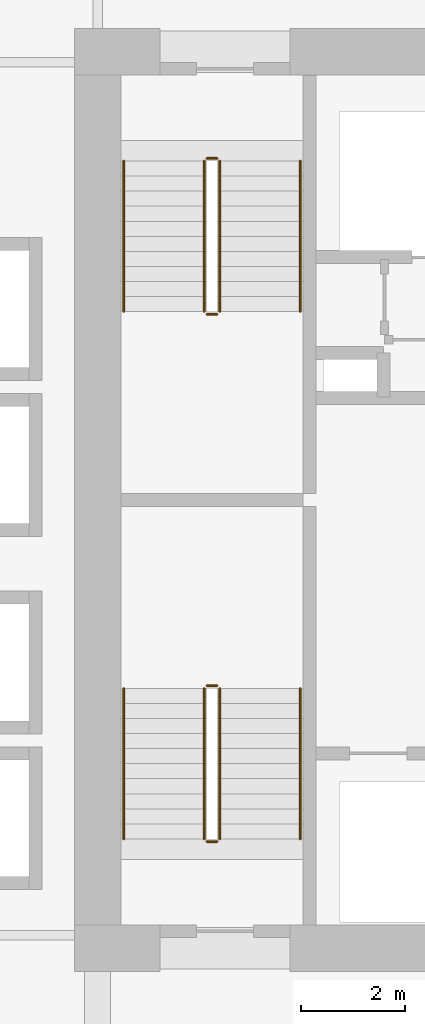
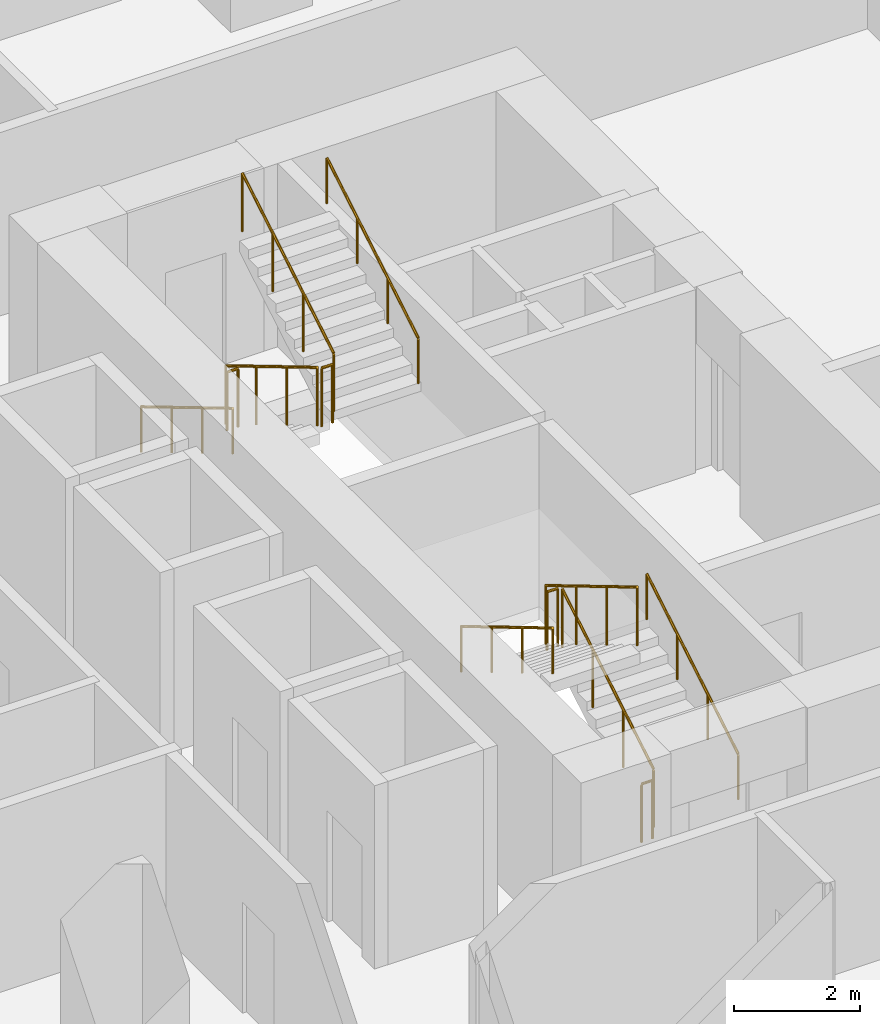
# One storey, part 25 of 26: 12 railings.
"""IFC4 building model written with IfcOpenShell, lengths in metres."""

import ifcopenshell
import ifcopenshell.guid

model = None  # the IFC model being written
_history = None  # IfcOwnerHistory: only IFC2X3 demands one
_inside = {}  # id of a spatial element -> (the spatial element, [elements in it])
_under = {}  # id of a project, library or spatial element -> (it, [spatial elements below it])
_declared = {}  # id of a project -> (the project, [libraries it declares])
_typed = {}  # id of a type object -> (the type object, [elements of that type])
_made_of = {}  # id of a material, layer set ... -> (it, [elements and type objects made of it])


def new_model(schema):
    """Start an empty IFC model of exactly this schema.

    Asked for "IFC4X3", IfcOpenShell would pick the latest addendum, in which some entities
    have other attributes; the version numbers below select the first issue.
    IFC2X3 requires an IfcOwnerHistory on every rooted entity: one is made here for all.
    """
    global model, _history
    if schema == "IFC4X3":
        model = ifcopenshell.file(schema_version=(4, 3, 0, 0))
    else:
        model = ifcopenshell.file(schema=schema)
    _inside.clear()
    _under.clear()
    _declared.clear()
    _typed.clear()
    _made_of.clear()
    _history = None
    if model.schema == "IFC2X3":
        org = make("IfcOrganization", Name="unknown")
        user = make(
            "IfcPersonAndOrganization",
            ThePerson=make("IfcPerson", FamilyName="unknown"),
            TheOrganization=org,
        )
        app = make(
            "IfcApplication",
            ApplicationDeveloper=org,
            Version="unknown",
            ApplicationFullName="unknown",
            ApplicationIdentifier="unknown",
        )
        _history = make(
            "IfcOwnerHistory",
            OwningUser=user,
            OwningApplication=app,
            ChangeAction="ADDED",
            CreationDate=0,
        )
    return model


def make(cls, **values):
    """One entity of the class cls with the attributes given. An attribute that is None is left unset."""
    return model.create_entity(
        cls, **{name: value for name, value in values.items() if value is not None}
    )


def rooted(cls, **values):
    """An entity with a GlobalId (a new one), such as an element, a storey or a relation."""
    return make(cls, GlobalId=ifcopenshell.guid.new(), OwnerHistory=_history, **values)


def si_unit(unit_type, name, prefix=None):
    """IfcSIUnit, for example si_unit("LENGTHUNIT", "METRE", prefix="MILLI")."""
    return make("IfcSIUnit", UnitType=unit_type, Prefix=prefix, Name=name)


def assignment(units):
    """IfcUnitAssignment: the units of a project."""
    return None if units is None else make("IfcUnitAssignment", Units=units)


def point(xyz):
    """IfcCartesianPoint."""
    return None if xyz is None else make("IfcCartesianPoint", Coordinates=xyz)


def direction(xyz):
    """IfcDirection."""
    return None if xyz is None else make("IfcDirection", DirectionRatios=xyz)


def frame(location, z_axis=None, x_axis=None):
    """IfcAxis2Placement3D, a coordinate frame: its origin and axes. An axis left out is left unset."""
    return make(
        "IfcAxis2Placement3D",
        Location=point(location),
        Axis=direction(z_axis),
        RefDirection=direction(x_axis),
    )


def frame_2d(location, x_axis=None):
    """IfcAxis2Placement2D, a coordinate frame in the plane: its origin and x axis."""
    return make(
        "IfcAxis2Placement2D", Location=point(location), RefDirection=direction(x_axis)
    )


def origin():
    """The frame at (0, 0, 0) with its axes left unset."""
    return frame((0.0, 0.0, 0.0))


def origin_2d():
    """The frame at (0, 0) in the plane with its x axis left unset."""
    return frame_2d((0.0, 0.0))


def place(relative_to, where):
    """IfcLocalPlacement: puts the frame where relative to a parent placement (None: the world)."""
    return make(
        "IfcLocalPlacement", PlacementRelTo=relative_to, RelativePlacement=where
    )


def context(
    kind, dimensions, precision=None, world=None, true_north=None, identifier=None
):
    """IfcGeometricRepresentationContext, for example the 3D "Model" context."""
    return make(
        "IfcGeometricRepresentationContext",
        ContextIdentifier=identifier,
        ContextType=kind,
        CoordinateSpaceDimension=dimensions,
        Precision=precision,
        WorldCoordinateSystem=world,
        TrueNorth=true_north,
    )


def subcontext(parent, identifier, kind, view, scale=None):
    """IfcGeometricRepresentationSubContext, for example "Body" below "Model"."""
    return make(
        "IfcGeometricRepresentationSubContext",
        ContextIdentifier=identifier,
        ContextType=kind,
        ParentContext=parent,
        TargetScale=scale,
        TargetView=view,
    )


def project(units=None, contexts=None):
    """IfcProject with its units and contexts."""
    return rooted(
        "IfcProject",
        Name="project",
        RepresentationContexts=contexts,
        UnitsInContext=assignment(units),
    )


def spatial(cls, under=None, at=None, **own):
    """A site, building, storey or space (cls), placed at a placement, below another one or the project."""
    s = rooted(cls, ObjectPlacement=at, **own)
    if under is not None:
        _under.setdefault(under.id(), (under, []))[1].append(s)
    return s


def profile(cls, at=None, kind="AREA", **sizes):
    """A parametric profile (cls). Its sizes go by their IFC names, for example OverallWidth=200.0."""
    return make(cls, ProfileType=kind, Position=at, **sizes)


def circle(**sizes):
    """IfcCircleProfileDef."""
    return profile("IfcCircleProfileDef", **sizes)


def extrude(swept, where, along, depth):
    """IfcExtrudedAreaSolid: the profile swept, set in the frame where, extruded along a direction by depth."""
    return make(
        "IfcExtrudedAreaSolid",
        SweptArea=swept,
        Position=where,
        ExtrudedDirection=direction(along),
        Depth=depth,
    )


def shape(context_of_items, identifier, shape_type, items):
    """IfcShapeRepresentation: the items that make up one representation, for example the "Body"."""
    return make(
        "IfcShapeRepresentation",
        ContextOfItems=context_of_items,
        RepresentationIdentifier=identifier,
        RepresentationType=shape_type,
        Items=items,
    )


def material(Name=None, Category=None):
    """IfcMaterial."""
    return make("IfcMaterial", Name=Name, Category=Category)


def made_of(thing, what):
    """Note that an element or type object is made of a material, layer set ...; save() writes the relation."""
    if what is not None:
        _made_of.setdefault(what.id(), (what, []))[1].append(thing)
    return thing


def type_object(cls, material=None, **own):
    """A type object (cls), such as IfcWallType, which elements share."""
    return made_of(rooted(cls, **own), material)


def element(
    cls,
    number,
    at=None,
    inside=None,
    cuts=None,
    type_object=None,
    material=None,
    context=None,
    identifier="Body",
    shape_type=None,
    held_by="IfcProductDefinitionShape",
    body=None,
    shapes=None,
    **own,
):
    """One element of the class cls, such as IfcWall. Its Tag is "e" and its number.

    at: its placement. inside: the storey or other place that contains it. cuts: it is an
    opening in that element (IfcRelVoidsElement). A single representation is given by context,
    identifier, shape_type and body (its items); several are given by shapes. held_by: the class
    of the entity that holds the representations. save() writes the other relations.
    """
    e = rooted(cls, Tag="e%d" % number, ObjectPlacement=at, **own)
    if body is not None:
        shapes = [shape(context, identifier, shape_type, body)]
    if shapes is not None:
        e.Representation = make(held_by, Representations=shapes)
    if inside is not None:
        _inside.setdefault(inside.id(), (inside, []))[1].append(e)
    if cuts is not None:
        rooted(
            "IfcRelVoidsElement", RelatingBuildingElement=cuts, RelatedOpeningElement=e
        )
    if type_object is not None:
        _typed.setdefault(type_object.id(), (type_object, []))[1].append(e)
    return made_of(e, material)


def aggregate(whole, parts):
    """IfcRelAggregates: a whole, such as a stair, and the parts it consists of."""
    return rooted("IfcRelAggregates", RelatingObject=whole, RelatedObjects=parts)


def save(model, path):
    """Write the relations noted so far, then the file.

    IfcRelAggregates (storeys below a building ...), IfcRelContainedInSpatialStructure (elements
    in a storey), IfcRelDefinesByType, IfcRelAssociatesMaterial and IfcRelDeclares: one each for
    every whole, place, type object, material and project.
    """
    for whole, parts in _under.values():
        aggregate(whole, parts)
    for where, things in _inside.values():
        rooted(
            "IfcRelContainedInSpatialStructure",
            RelatedElements=things,
            RelatingStructure=where,
        )
    for kind, things in _typed.values():
        rooted("IfcRelDefinesByType", RelatedObjects=things, RelatingType=kind)
    for what, things in _made_of.values():
        rooted("IfcRelAssociatesMaterial", RelatedObjects=things, RelatingMaterial=what)
    for by, libraries in _declared.values():
        rooted("IfcRelDeclares", RelatingContext=by, RelatedDefinitions=libraries)
    model.write(path)


model = new_model("IFC4")

# Units and contexts
model_context = context("Model", 3, precision=1e-05, world=origin(), true_north=direction((0.0, 1.0)))
body_context = subcontext(model_context, "Body", "Model", "MODEL_VIEW")
ifc_project = project(units=[si_unit("LENGTHUNIT", "METRE"), si_unit("AREAUNIT", "SQUARE_METRE"), si_unit("VOLUMEUNIT", "CUBIC_METRE"), si_unit("PLANEANGLEUNIT", "RADIAN"), si_unit("MASSUNIT", "GRAM", prefix="KILO")], contexts=[model_context])

# Site, building, storey
site_placement = place(None, origin())
site = spatial("IfcSite", under=ifc_project, at=site_placement, CompositionType="ELEMENT")
building_placement = place(site_placement, origin())
building = spatial("IfcBuilding", under=site, at=building_placement, Name="Koriwani Terraces Tower", CompositionType="ELEMENT")
storey_placement = place(building_placement, frame((0.0, 0.0, 39.60009765625)))
storey = spatial("IfcBuildingStorey", under=building, at=storey_placement, Name="L08", CompositionType="ELEMENT", Elevation=39.60009765625)

# Railings
ifc_material = material(Name="Steel ASTM A572 Grade 50", Category="steel")
railing_type_1 = type_object("IfcRailingType", Name="GUARD_STAIR_WELL_1120", PredefinedType="GUARDRAIL", material=ifc_material)
railing_1_placement = place(storey_placement, frame((19.14990234375, 43.85009765625, 0.172607421875)))
element("IfcRailing", 1, at=railing_1_placement, inside=storey, type_object=railing_type_1, Name="L08 ST-W1 stair guard 1", PredefinedType="GUARDRAIL", context=body_context, shape_type="SweptSolid", body=[
    extrude(circle(Radius=0.02392578125, at=origin_2d()), frame((0.0, 0.0, 1.1259765625), z_axis=(0.0, 0.859141464434, 0.511738159696), x_axis=(-1.0, 0.0, 0.0)), (0.0, 0.0, 1.0), 3.375244140625),
    extrude(circle(Radius=0.02099609375, at=origin_2d()), origin(), (0.0, 0.0, 1.0), 1.101806640625),
    extrude(circle(Radius=0.02099609375, at=origin_2d()), frame((0.0, 0.966552734375, 0.57568359375)), (0.0, 0.0, 1.0), 1.101806640625),
    extrude(circle(Radius=0.02099609375, at=origin_2d()), frame((0.0, 1.933349609375, 1.151611328125)), (0.0, 0.0, 1.0), 1.101806640625),
    extrude(circle(Radius=0.02099609375, at=origin_2d()), frame((0.0, 2.89990234375, 1.727294921875)), (0.0, 0.0, 1.0), 1.101806640625),
])
railing_2_placement = place(storey_placement, frame((19.10009765625, 46.800048828125, 1.89990234375)))
element("IfcRailing", 2, at=railing_2_placement, inside=storey, type_object=railing_type_1, Name="L08 ST-W1 stair guard 2", PredefinedType="GUARDRAIL", context=body_context, shape_type="SweptSolid", body=[
    extrude(circle(Radius=0.02392578125, at=origin_2d()), frame((0.0, 0.0, 1.1259765625), z_axis=(-1.0, 0.0, 0.0), x_axis=(0.0, -1.0, 0.0)), (0.0, 0.0, 1.0), 0.2001953125),
    extrude(circle(Radius=0.02099609375, at=origin_2d()), origin(), (0.0, 0.0, 1.0), 1.101806640625),
    extrude(circle(Radius=0.02099609375, at=origin_2d()), frame((-0.2001953125, 0.0, 0.0)), (0.0, 0.0, 1.0), 1.101806640625),
])
railing_3_placement = place(storey_placement, frame((18.85009765625, 46.75, 2.072509765625)))
element("IfcRailing", 3, at=railing_3_placement, inside=storey, type_object=railing_type_1, Name="L08 ST-W1 stair guard 3", PredefinedType="GUARDRAIL", context=body_context, shape_type="SweptSolid", body=[
    extrude(circle(Radius=0.02392578125, at=origin_2d()), frame((0.0, 0.0, 1.1259765625), z_axis=(0.0, -0.859141464434, 0.511738159696), x_axis=(1.0, 0.0, 0.0)), (0.0, 0.0, 1.0), 3.375244140625),
    extrude(circle(Radius=0.02099609375, at=origin_2d()), origin(), (0.0, 0.0, 1.0), 1.101806640625),
    extrude(circle(Radius=0.02099609375, at=origin_2d()), frame((0.0, -0.966552734375, 0.57568359375)), (0.0, 0.0, 1.0), 1.101806640625),
    extrude(circle(Radius=0.02099609375, at=origin_2d()), frame((0.0, -1.933349609375, 1.151611328125)), (0.0, 0.0, 1.0), 1.101806640625),
    extrude(circle(Radius=0.02099609375, at=origin_2d()), frame((0.0, -2.89990234375, 1.727294921875)), (0.0, 0.0, 1.0), 1.101806640625),
])
railing_4_placement = place(storey_placement, frame((19.10009765625, 43.800048828125, 0.0)))
element("IfcRailing", 4, at=railing_4_placement, inside=storey, type_object=railing_type_1, Name="L08 ST-W1 stair guard 4", PredefinedType="GUARDRAIL", context=body_context, shape_type="SweptSolid", body=[
    extrude(circle(Radius=0.02392578125, at=origin_2d()), frame((0.0, 0.0, 1.1259765625), z_axis=(-1.0, 0.0, 0.0), x_axis=(0.0, -1.0, 0.0)), (0.0, 0.0, 1.0), 0.2001953125),
    extrude(circle(Radius=0.02099609375, at=origin_2d()), origin(), (0.0, 0.0, 1.0), 1.101806640625),
    extrude(circle(Radius=0.02099609375, at=origin_2d()), frame((-0.2001953125, 0.0, 0.0)), (0.0, 0.0, 1.0), 1.101806640625),
])
railing_5_placement = place(storey_placement, frame((18.85009765625, 56.89990234375, 0.172607421875)))
element("IfcRailing", 5, at=railing_5_placement, inside=storey, type_object=railing_type_1, Name="L08 ST-W2 stair guard 1", PredefinedType="GUARDRAIL", context=body_context, shape_type="SweptSolid", body=[
    extrude(circle(Radius=0.02392578125, at=origin_2d()), frame((0.0, 0.0, 1.1259765625), z_axis=(0.0, -0.859141464434, 0.511738159696), x_axis=(1.0, 0.0, 0.0)), (0.0, 0.0, 1.0), 3.375244140625),
    extrude(circle(Radius=0.02099609375, at=origin_2d()), origin(), (0.0, 0.0, 1.0), 1.101806640625),
    extrude(circle(Radius=0.02099609375, at=origin_2d()), frame((0.0, -0.966552734375, 0.57568359375)), (0.0, 0.0, 1.0), 1.101806640625),
    extrude(circle(Radius=0.02099609375, at=origin_2d()), frame((0.0, -1.933349609375, 1.151611328125)), (0.0, 0.0, 1.0), 1.101806640625),
    extrude(circle(Radius=0.02099609375, at=origin_2d()), frame((0.0, -2.89990234375, 1.727294921875)), (0.0, 0.0, 1.0), 1.101806640625),
])
railing_6_placement = place(storey_placement, frame((18.89990234375, 53.949951171875, 1.89990234375)))
element("IfcRailing", 6, at=railing_6_placement, inside=storey, type_object=railing_type_1, Name="L08 ST-W2 stair guard 2", PredefinedType="GUARDRAIL", context=body_context, shape_type="SweptSolid", body=[
    extrude(circle(Radius=0.02392578125, at=origin_2d()), frame((0.0, 0.0, 1.1259765625), z_axis=(1.0, 0.0, 0.0), x_axis=(0.0, 1.0, 0.0)), (0.0, 0.0, 1.0), 0.2001953125),
    extrude(circle(Radius=0.02099609375, at=origin_2d()), origin(), (0.0, 0.0, 1.0), 1.101806640625),
    extrude(circle(Radius=0.02099609375, at=origin_2d()), frame((0.2001953125, 0.0, 0.0)), (0.0, 0.0, 1.0), 1.101806640625),
])
railing_7_placement = place(storey_placement, frame((19.14990234375, 54.0, 2.072509765625)))
element("IfcRailing", 7, at=railing_7_placement, inside=storey, type_object=railing_type_1, Name="L08 ST-W2 stair guard 3", PredefinedType="GUARDRAIL", context=body_context, shape_type="SweptSolid", body=[
    extrude(circle(Radius=0.02392578125, at=origin_2d()), frame((0.0, 0.0, 1.1259765625), z_axis=(0.0, 0.859141464434, 0.511738159696), x_axis=(-1.0, 0.0, 0.0)), (0.0, 0.0, 1.0), 3.375244140625),
    extrude(circle(Radius=0.02099609375, at=origin_2d()), origin(), (0.0, 0.0, 1.0), 1.101806640625),
    extrude(circle(Radius=0.02099609375, at=origin_2d()), frame((0.0, 0.966552734375, 0.57568359375)), (0.0, 0.0, 1.0), 1.101806640625),
    extrude(circle(Radius=0.02099609375, at=origin_2d()), frame((0.0, 1.933349609375, 1.151611328125)), (0.0, 0.0, 1.0), 1.101806640625),
    extrude(circle(Radius=0.02099609375, at=origin_2d()), frame((0.0, 2.89990234375, 1.727294921875)), (0.0, 0.0, 1.0), 1.101806640625),
])
railing_8_placement = place(storey_placement, frame((18.89990234375, 56.949951171875, 0.0)))
element("IfcRailing", 8, at=railing_8_placement, inside=storey, type_object=railing_type_1, Name="L08 ST-W2 stair guard 4", PredefinedType="GUARDRAIL", context=body_context, shape_type="SweptSolid", body=[
    extrude(circle(Radius=0.02392578125, at=origin_2d()), frame((0.0, 0.0, 1.1259765625), z_axis=(1.0, 0.0, 0.0), x_axis=(0.0, 1.0, 0.0)), (0.0, 0.0, 1.0), 0.2001953125),
    extrude(circle(Radius=0.02099609375, at=origin_2d()), origin(), (0.0, 0.0, 1.0), 1.101806640625),
    extrude(circle(Radius=0.02099609375, at=origin_2d()), frame((0.2001953125, 0.0, 0.0)), (0.0, 0.0, 1.0), 1.101806640625),
])
railing_type_2 = type_object("IfcRailingType", Name="HANDRAIL_STAIR_920", PredefinedType="HANDRAIL", material=ifc_material)
railing_9_placement = place(storey_placement, frame((20.699951171875, 43.85009765625, 0.172607421875)))
element("IfcRailing", 9, at=railing_9_placement, inside=storey, type_object=railing_type_2, Name="L08 ST-W1 stair handrail 1", PredefinedType="HANDRAIL", context=body_context, shape_type="SweptSolid", body=[
    extrude(circle(Radius=0.02392578125, at=origin_2d()), frame((0.0, 0.0, 0.8759765625), z_axis=(0.0, 0.859141464434, 0.511738159696), x_axis=(-1.0, 0.0, 0.0)), (0.0, 0.0, 1.0), 3.375244140625),
    extrude(circle(Radius=0.02099609375, at=origin_2d()), origin(), (0.0, 0.0, 1.0), 0.851806640625),
    extrude(circle(Radius=0.02099609375, at=origin_2d()), frame((0.0, 0.966552734375, 0.57568359375)), (0.0, 0.0, 1.0), 0.851806640625),
    extrude(circle(Radius=0.02099609375, at=origin_2d()), frame((0.0, 1.933349609375, 1.151611328125)), (0.0, 0.0, 1.0), 0.851806640625),
    extrude(circle(Radius=0.02099609375, at=origin_2d()), frame((0.0, 2.89990234375, 1.727294921875)), (0.0, 0.0, 1.0), 0.851806640625),
])
for number, where, name in (
    (10, (17.300048828125, 46.75, 2.072509765625), "L08 ST-W1 stair handrail 2"),
    (11, (17.300048828125, 56.89990234375, 0.172607421875), "L08 ST-W2 stair handrail 1"),
):
    element("IfcRailing", number, at=place(storey_placement, frame(where)), inside=storey, type_object=railing_type_2, Name=name, PredefinedType="HANDRAIL", context=body_context, shape_type="SweptSolid", body=[
        extrude(circle(Radius=0.02392578125, at=origin_2d()), frame((0.0, 0.0, 0.8759765625), z_axis=(0.0, -0.859141464434, 0.511738159696), x_axis=(1.0, 0.0, 0.0)), (0.0, 0.0, 1.0), 3.375244140625),
        extrude(circle(Radius=0.02099609375, at=origin_2d()), origin(), (0.0, 0.0, 1.0), 0.851806640625),
        extrude(circle(Radius=0.02099609375, at=origin_2d()), frame((0.0, -0.966552734375, 0.57568359375)), (0.0, 0.0, 1.0), 0.851806640625),
        extrude(circle(Radius=0.02099609375, at=origin_2d()), frame((0.0, -1.933349609375, 1.151611328125)), (0.0, 0.0, 1.0), 0.851806640625),
        extrude(circle(Radius=0.02099609375, at=origin_2d()), frame((0.0, -2.89990234375, 1.727294921875)), (0.0, 0.0, 1.0), 0.851806640625),
    ])
railing_10_placement = place(storey_placement, frame((20.699951171875, 54.0, 2.072509765625)))
element("IfcRailing", 12, at=railing_10_placement, inside=storey, type_object=railing_type_2, Name="L08 ST-W2 stair handrail 2", PredefinedType="HANDRAIL", context=body_context, shape_type="SweptSolid", body=[
    extrude(circle(Radius=0.02392578125, at=origin_2d()), frame((0.0, 0.0, 0.8759765625), z_axis=(0.0, 0.859141464434, 0.511738159696), x_axis=(-1.0, 0.0, 0.0)), (0.0, 0.0, 1.0), 3.375244140625),
    extrude(circle(Radius=0.02099609375, at=origin_2d()), origin(), (0.0, 0.0, 1.0), 0.851806640625),
    extrude(circle(Radius=0.02099609375, at=origin_2d()), frame((0.0, 0.966552734375, 0.57568359375)), (0.0, 0.0, 1.0), 0.851806640625),
    extrude(circle(Radius=0.02099609375, at=origin_2d()), frame((0.0, 1.933349609375, 1.151611328125)), (0.0, 0.0, 1.0), 0.851806640625),
    extrude(circle(Radius=0.02099609375, at=origin_2d()), frame((0.0, 2.89990234375, 1.727294921875)), (0.0, 0.0, 1.0), 0.851806640625),
])

save(model, "model.ifc")
